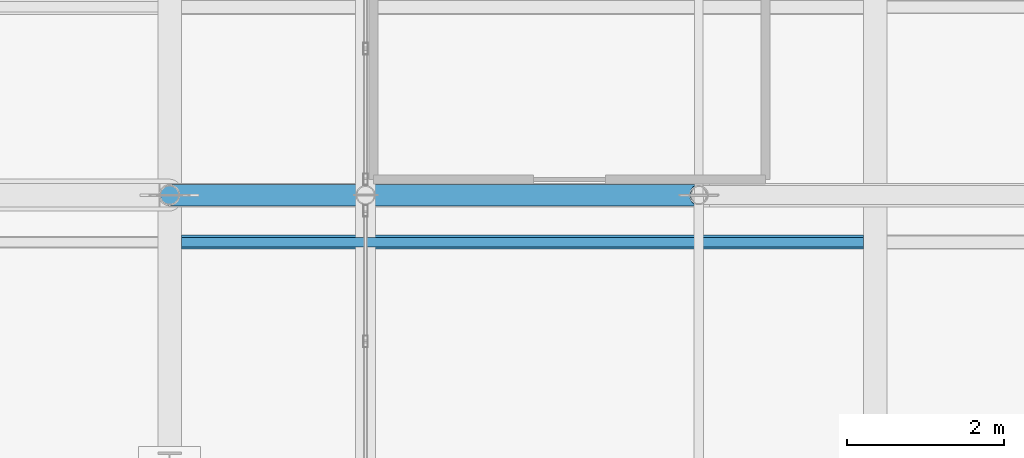
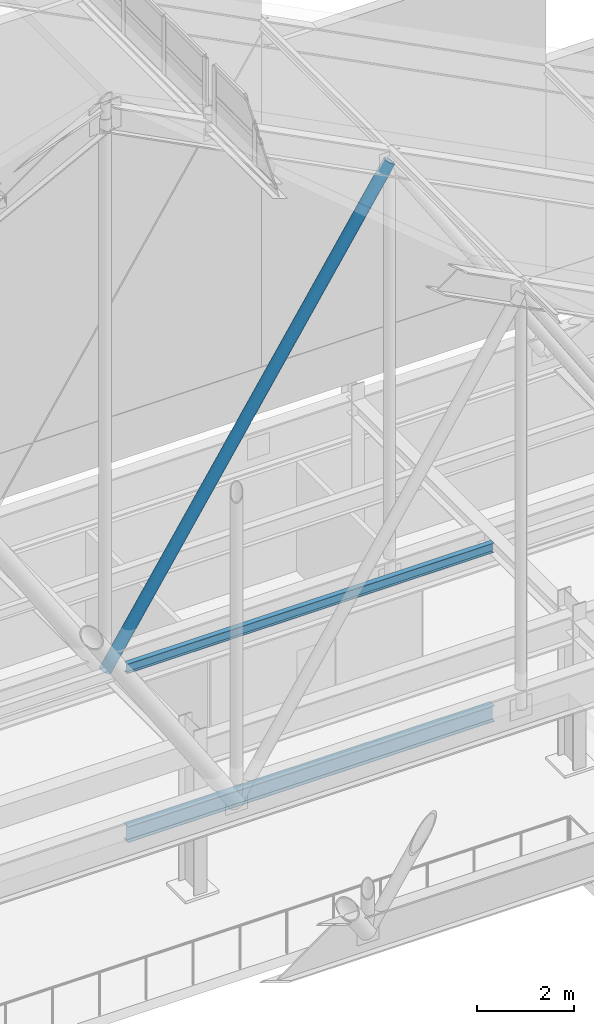
# One storey, part 60 of 84: 2 beams, 1 member.
"""IFC4 building model written with IfcOpenShell, lengths in metres."""

from ifc_helpers import new_model, si_unit, direction, frame, origin, origin_2d, place, context, subcontext, project, spatial, hollow_circle, i_section, extrude, material, material_profile, profile_set, type_object, element, save


model = new_model("IFC4")

# Units and contexts
model_context = context("Model", 3, precision=1e-05, world=origin(), true_north=direction((0.0, 1.0)))
body_context = subcontext(model_context, "Body", "Model", "MODEL_VIEW")
ifc_project = project(units=[si_unit("LENGTHUNIT", "METRE"), si_unit("AREAUNIT", "SQUARE_METRE"), si_unit("VOLUMEUNIT", "CUBIC_METRE"), si_unit("PLANEANGLEUNIT", "RADIAN"), si_unit("MASSUNIT", "GRAM", prefix="KILO")], contexts=[model_context])

# Site, building, storey
site_placement = place(None, origin())
site = spatial("IfcSite", under=ifc_project, at=site_placement, CompositionType="ELEMENT")
building_placement = place(site_placement, origin())
building = spatial("IfcBuilding", under=site, at=building_placement, Name="Sundgate Opera House", CompositionType="ELEMENT")
storey_placement = place(building_placement, frame((0.0, 0.0, 30.60009765625)))
storey = spatial("IfcBuildingStorey", under=building, at=storey_placement, Name="L06", CompositionType="ELEMENT", Elevation=30.60009765625)

# Beams
ifc_material_1 = material(Name="Steel S355J2", Category="steel")
ifc_material_profile_1 = material_profile(ifc_material_1, i_section(OverallWidth=0.1201171875, OverallDepth=0.239990234375, WebThickness=0.006103515625, FlangeThickness=0.009765625, at=origin_2d()), Name="IPE 240")
ifc_profile_set_1 = profile_set([ifc_material_profile_1], Name="Steel S355J2")
beam_type_1 = type_object("IfcBeamType", Name="BM-JS-IPE240", PredefinedType="JOIST", material=ifc_profile_set_1)
beam_1_placement = place(storey_placement, frame((54.14990234375, 81.0, 3.679931640625), z_axis=(1.0, 0.0, 0.0), x_axis=(0.0, 1.0, 0.0)))
element("IfcBeam", 1, at=beam_1_placement, inside=storey, type_object=beam_type_1, Name="L06 Secondary Floor Joist B3327", PredefinedType="JOIST", context=body_context, shape_type="SweptSolid", body=[
    extrude(i_section(OverallWidth=0.1201171875, OverallDepth=0.239990234375, WebThickness=0.006103515625, FlangeThickness=0.009765625, at=origin_2d()), origin(), (0.0, 0.0, 1.0), 8.7001953125),
])
ifc_material_2 = material(Name="Steel S355J2", Category="steel")
ifc_material_profile_2 = material_profile(ifc_material_2, i_section(OverallWidth=0.179931640625, OverallDepth=0.39990234375, WebThickness=0.008544921875, FlangeThickness=0.013427734375, at=origin_2d()), Name="IPE 400")
ifc_profile_set_2 = profile_set([ifc_material_profile_2], Name="Steel S355J2")
beam_type_2 = type_object("IfcBeamType", Name="BM-JS-IPE400", PredefinedType="JOIST", material=ifc_profile_set_2)
beam_2_placement = place(storey_placement, frame((54.14990234375, 81.0, -0.460205078125), z_axis=(1.0, 0.0, 0.0), x_axis=(0.0, 1.0, 0.0)))
element("IfcBeam", 2, at=beam_2_placement, inside=storey, type_object=beam_type_2, Name="L06 Secondary Floor Joist B3264", PredefinedType="JOIST", context=body_context, shape_type="SweptSolid", body=[
    extrude(i_section(OverallWidth=0.179931640625, OverallDepth=0.39990234375, WebThickness=0.008544921875, FlangeThickness=0.013427734375, at=origin_2d()), origin(), (0.0, 0.0, 1.0), 8.7001953125),
])

# Member
ifc_material_3 = material(Name="Steel S355J2", Category="steel")
ifc_material_profile_3 = material_profile(ifc_material_3, hollow_circle(Radius=0.136474609375, WallThickness=0.01611328125, at=origin_2d()), Name="CHS 273.0x16.0")
ifc_profile_set_3 = profile_set([ifc_material_profile_3], Name="Steel S355J2")
member_type = type_object("IfcMemberType", Name="MB-STRUT-CHS273", PredefinedType="STRUT", material=ifc_profile_set_3)
member_placement = place(storey_placement, frame((54.0, 81.60009765625, 3.289794921875), z_axis=(0.543221949913, 0.0, 0.839589133525), x_axis=(0.0, 1.0, 0.0)))
element("IfcMember", 3, at=member_placement, inside=storey, type_object=member_type, Name="L06 Fly-Tower Warren Web Strut M0205", PredefinedType="STRUT", context=body_context, shape_type="SweptSolid", body=[
    extrude(hollow_circle(Radius=0.136474609375, WallThickness=0.01611328125, at=origin_2d()), origin(), (0.0, 0.0, 1.0), 12.42578125),
])

save(model, "model.ifc")
